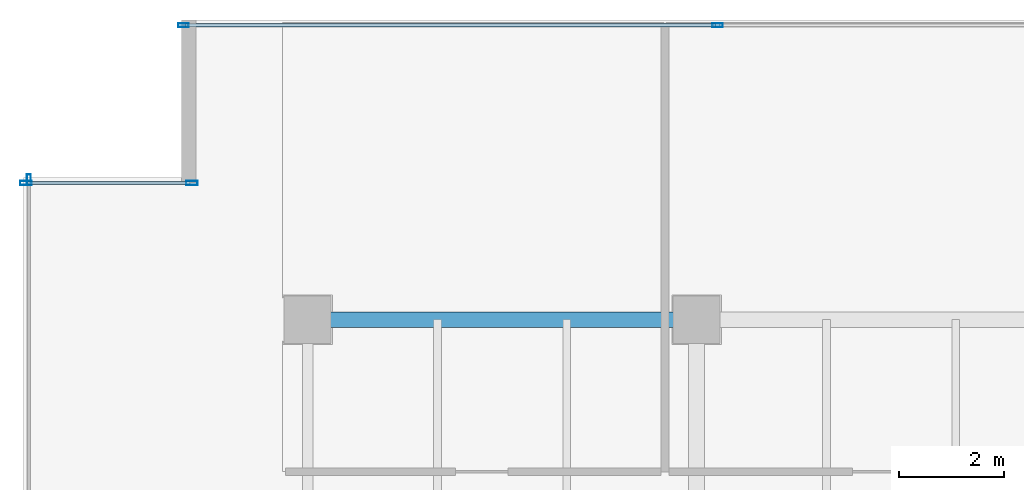
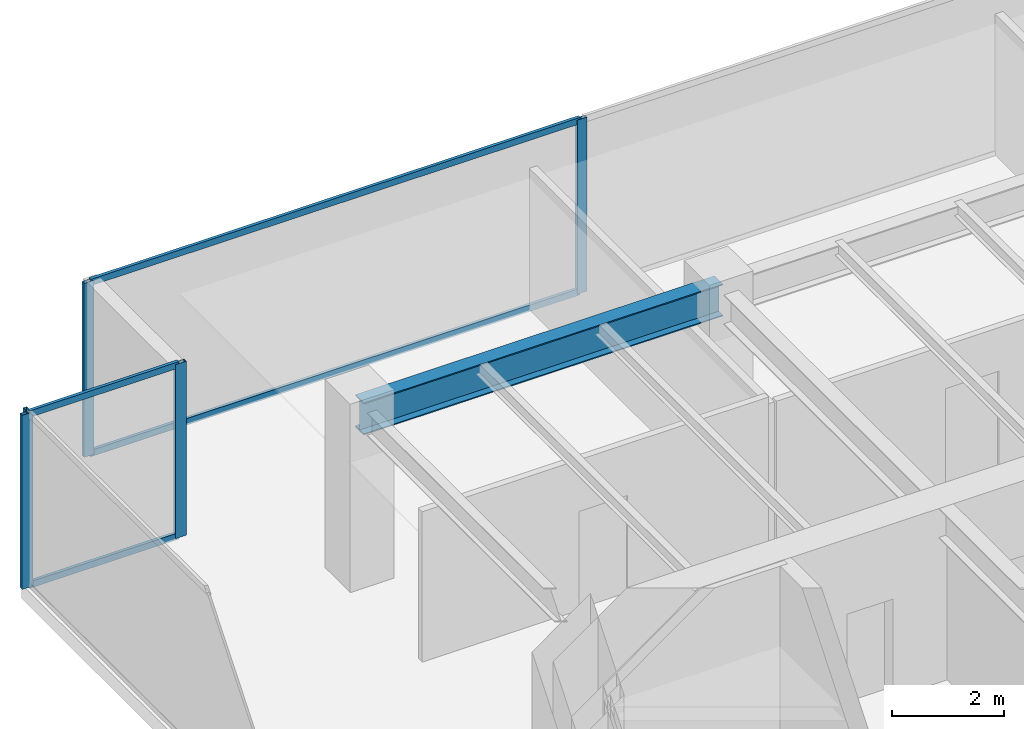
# One storey, part 14 of 33: 9 members, 1 beam, 3 elements without a shape of their own.
"""IFC4 building model written with IfcOpenShell, lengths in metres."""

import ifcopenshell
import ifcopenshell.guid

model = None  # the IFC model being written
_history = None  # IfcOwnerHistory: only IFC2X3 demands one
_inside = {}  # id of a spatial element -> (the spatial element, [elements in it])
_under = {}  # id of a project, library or spatial element -> (it, [spatial elements below it])
_declared = {}  # id of a project -> (the project, [libraries it declares])
_typed = {}  # id of a type object -> (the type object, [elements of that type])
_made_of = {}  # id of a material, layer set ... -> (it, [elements and type objects made of it])


def new_model(schema):
    """Start an empty IFC model of exactly this schema.

    Asked for "IFC4X3", IfcOpenShell would pick the latest addendum, in which some entities
    have other attributes; the version numbers below select the first issue.
    IFC2X3 requires an IfcOwnerHistory on every rooted entity: one is made here for all.
    """
    global model, _history
    if schema == "IFC4X3":
        model = ifcopenshell.file(schema_version=(4, 3, 0, 0))
    else:
        model = ifcopenshell.file(schema=schema)
    _inside.clear()
    _under.clear()
    _declared.clear()
    _typed.clear()
    _made_of.clear()
    _history = None
    if model.schema == "IFC2X3":
        org = make("IfcOrganization", Name="unknown")
        user = make(
            "IfcPersonAndOrganization",
            ThePerson=make("IfcPerson", FamilyName="unknown"),
            TheOrganization=org,
        )
        app = make(
            "IfcApplication",
            ApplicationDeveloper=org,
            Version="unknown",
            ApplicationFullName="unknown",
            ApplicationIdentifier="unknown",
        )
        _history = make(
            "IfcOwnerHistory",
            OwningUser=user,
            OwningApplication=app,
            ChangeAction="ADDED",
            CreationDate=0,
        )
    return model


def make(cls, **values):
    """One entity of the class cls with the attributes given. An attribute that is None is left unset."""
    return model.create_entity(
        cls, **{name: value for name, value in values.items() if value is not None}
    )


def rooted(cls, **values):
    """An entity with a GlobalId (a new one), such as an element, a storey or a relation."""
    return make(cls, GlobalId=ifcopenshell.guid.new(), OwnerHistory=_history, **values)


def si_unit(unit_type, name, prefix=None):
    """IfcSIUnit, for example si_unit("LENGTHUNIT", "METRE", prefix="MILLI")."""
    return make("IfcSIUnit", UnitType=unit_type, Prefix=prefix, Name=name)


def assignment(units):
    """IfcUnitAssignment: the units of a project."""
    return None if units is None else make("IfcUnitAssignment", Units=units)


def point(xyz):
    """IfcCartesianPoint."""
    return None if xyz is None else make("IfcCartesianPoint", Coordinates=xyz)


def direction(xyz):
    """IfcDirection."""
    return None if xyz is None else make("IfcDirection", DirectionRatios=xyz)


def frame(location, z_axis=None, x_axis=None):
    """IfcAxis2Placement3D, a coordinate frame: its origin and axes. An axis left out is left unset."""
    return make(
        "IfcAxis2Placement3D",
        Location=point(location),
        Axis=direction(z_axis),
        RefDirection=direction(x_axis),
    )


def frame_2d(location, x_axis=None):
    """IfcAxis2Placement2D, a coordinate frame in the plane: its origin and x axis."""
    return make(
        "IfcAxis2Placement2D", Location=point(location), RefDirection=direction(x_axis)
    )


def origin():
    """The frame at (0, 0, 0) with its axes left unset."""
    return frame((0.0, 0.0, 0.0))


def origin_2d():
    """The frame at (0, 0) in the plane with its x axis left unset."""
    return frame_2d((0.0, 0.0))


def place(relative_to, where):
    """IfcLocalPlacement: puts the frame where relative to a parent placement (None: the world)."""
    return make(
        "IfcLocalPlacement", PlacementRelTo=relative_to, RelativePlacement=where
    )


def context(
    kind, dimensions, precision=None, world=None, true_north=None, identifier=None
):
    """IfcGeometricRepresentationContext, for example the 3D "Model" context."""
    return make(
        "IfcGeometricRepresentationContext",
        ContextIdentifier=identifier,
        ContextType=kind,
        CoordinateSpaceDimension=dimensions,
        Precision=precision,
        WorldCoordinateSystem=world,
        TrueNorth=true_north,
    )


def subcontext(parent, identifier, kind, view, scale=None):
    """IfcGeometricRepresentationSubContext, for example "Body" below "Model"."""
    return make(
        "IfcGeometricRepresentationSubContext",
        ContextIdentifier=identifier,
        ContextType=kind,
        ParentContext=parent,
        TargetScale=scale,
        TargetView=view,
    )


def project(units=None, contexts=None):
    """IfcProject with its units and contexts."""
    return rooted(
        "IfcProject",
        Name="project",
        RepresentationContexts=contexts,
        UnitsInContext=assignment(units),
    )


def spatial(cls, under=None, at=None, **own):
    """A site, building, storey or space (cls), placed at a placement, below another one or the project."""
    s = rooted(cls, ObjectPlacement=at, **own)
    if under is not None:
        _under.setdefault(under.id(), (under, []))[1].append(s)
    return s


def profile(cls, at=None, kind="AREA", **sizes):
    """A parametric profile (cls). Its sizes go by their IFC names, for example OverallWidth=200.0."""
    return make(cls, ProfileType=kind, Position=at, **sizes)


def hollow_rectangle(**sizes):
    """IfcRectangleHollowProfileDef."""
    return profile("IfcRectangleHollowProfileDef", **sizes)


def i_section(**sizes):
    """IfcIShapeProfileDef."""
    return profile("IfcIShapeProfileDef", **sizes)


def extrude(swept, where, along, depth):
    """IfcExtrudedAreaSolid: the profile swept, set in the frame where, extruded along a direction by depth."""
    return make(
        "IfcExtrudedAreaSolid",
        SweptArea=swept,
        Position=where,
        ExtrudedDirection=direction(along),
        Depth=depth,
    )


def shape(context_of_items, identifier, shape_type, items):
    """IfcShapeRepresentation: the items that make up one representation, for example the "Body"."""
    return make(
        "IfcShapeRepresentation",
        ContextOfItems=context_of_items,
        RepresentationIdentifier=identifier,
        RepresentationType=shape_type,
        Items=items,
    )


def source(mapping_origin, context_of_items, identifier, shape_type, items):
    """IfcRepresentationMap: a shape defined once, which mapped items show again and again."""
    return make(
        "IfcRepresentationMap",
        MappingOrigin=mapping_origin,
        MappedRepresentation=shape(context_of_items, identifier, shape_type, items),
    )


def transform(
    local_origin,
    x_axis=None,
    y_axis=None,
    z_axis=None,
    scale=None,
    scale2=None,
    scale3=None,
    uniform=True,
):
    """IfcCartesianTransformationOperator3D, or its non-uniform kind. x_axis, y_axis, z_axis: its Axis1, 2, 3."""
    if uniform:
        return make(
            "IfcCartesianTransformationOperator3D",
            Axis1=direction(x_axis),
            Axis2=direction(y_axis),
            LocalOrigin=point(local_origin),
            Scale=scale,
            Axis3=direction(z_axis),
        )
    return make(
        "IfcCartesianTransformationOperator3DnonUniform",
        Axis1=direction(x_axis),
        Axis2=direction(y_axis),
        LocalOrigin=point(local_origin),
        Scale=scale,
        Axis3=direction(z_axis),
        Scale2=scale2,
        Scale3=scale3,
    )


def mapped(mapping_source, mapping_target):
    """IfcMappedItem: shows the shape of a source again, moved by a transform."""
    return make(
        "IfcMappedItem", MappingSource=mapping_source, MappingTarget=mapping_target
    )


def material(Name=None, Category=None):
    """IfcMaterial."""
    return make("IfcMaterial", Name=Name, Category=Category)


def layer(
    of_material, thickness, ventilated=None, Name=None, Category=None, Priority=None
):
    """IfcMaterialLayer: one layer of a wall or slab, of a material (None: an air gap)."""
    return make(
        "IfcMaterialLayer",
        Material=of_material,
        LayerThickness=thickness,
        IsVentilated=ventilated,
        Name=Name,
        Category=Category,
        Priority=Priority,
    )


def layer_set(layers, Name=None):
    """IfcMaterialLayerSet."""
    return make("IfcMaterialLayerSet", MaterialLayers=layers, LayerSetName=Name)


def material_profile(
    of_material, cross_section, Name=None, Category=None, Priority=None
):
    """IfcMaterialProfile: a cross section and its material."""
    return make(
        "IfcMaterialProfile",
        Name=Name,
        Material=of_material,
        Profile=cross_section,
        Priority=Priority,
        Category=Category,
    )


def profile_set(profiles, Name=None, composite=None):
    """IfcMaterialProfileSet."""
    return make(
        "IfcMaterialProfileSet",
        Name=Name,
        MaterialProfiles=profiles,
        CompositeProfile=composite,
    )


def made_of(thing, what):
    """Note that an element or type object is made of a material, layer set ...; save() writes the relation."""
    if what is not None:
        _made_of.setdefault(what.id(), (what, []))[1].append(thing)
    return thing


def type_object(cls, material=None, **own):
    """A type object (cls), such as IfcWallType, which elements share."""
    return made_of(rooted(cls, **own), material)


def type_shapes(of_type, sources):
    """Give a type object the sources (RepresentationMaps) that its elements show as mapped items."""
    of_type.RepresentationMaps = sources


def element(
    cls,
    number,
    at=None,
    inside=None,
    cuts=None,
    type_object=None,
    material=None,
    context=None,
    identifier="Body",
    shape_type=None,
    held_by="IfcProductDefinitionShape",
    body=None,
    shapes=None,
    **own,
):
    """One element of the class cls, such as IfcWall. Its Tag is "e" and its number.

    at: its placement. inside: the storey or other place that contains it. cuts: it is an
    opening in that element (IfcRelVoidsElement). A single representation is given by context,
    identifier, shape_type and body (its items); several are given by shapes. held_by: the class
    of the entity that holds the representations. save() writes the other relations.
    """
    e = rooted(cls, Tag="e%d" % number, ObjectPlacement=at, **own)
    if body is not None:
        shapes = [shape(context, identifier, shape_type, body)]
    if shapes is not None:
        e.Representation = make(held_by, Representations=shapes)
    if inside is not None:
        _inside.setdefault(inside.id(), (inside, []))[1].append(e)
    if cuts is not None:
        rooted(
            "IfcRelVoidsElement", RelatingBuildingElement=cuts, RelatedOpeningElement=e
        )
    if type_object is not None:
        _typed.setdefault(type_object.id(), (type_object, []))[1].append(e)
    return made_of(e, material)


def aggregate(whole, parts):
    """IfcRelAggregates: a whole, such as a stair, and the parts it consists of."""
    return rooted("IfcRelAggregates", RelatingObject=whole, RelatedObjects=parts)


def save(model, path):
    """Write the relations noted so far, then the file.

    IfcRelAggregates (storeys below a building ...), IfcRelContainedInSpatialStructure (elements
    in a storey), IfcRelDefinesByType, IfcRelAssociatesMaterial and IfcRelDeclares: one each for
    every whole, place, type object, material and project.
    """
    for whole, parts in _under.values():
        aggregate(whole, parts)
    for where, things in _inside.values():
        rooted(
            "IfcRelContainedInSpatialStructure",
            RelatedElements=things,
            RelatingStructure=where,
        )
    for kind, things in _typed.values():
        rooted("IfcRelDefinesByType", RelatedObjects=things, RelatingType=kind)
    for what, things in _made_of.values():
        rooted("IfcRelAssociatesMaterial", RelatedObjects=things, RelatingMaterial=what)
    for by, libraries in _declared.values():
        rooted("IfcRelDeclares", RelatingContext=by, RelatedDefinitions=libraries)
    model.write(path)


model = new_model("IFC4")

# Units and contexts
model_context = context("Model", 3, precision=1e-05, world=origin(), true_north=direction((0.0, 1.0)))
body_context = subcontext(model_context, "Body", "Model", "MODEL_VIEW")
ifc_project = project(units=[si_unit("LENGTHUNIT", "METRE"), si_unit("AREAUNIT", "SQUARE_METRE"), si_unit("VOLUMEUNIT", "CUBIC_METRE"), si_unit("PLANEANGLEUNIT", "RADIAN"), si_unit("MASSUNIT", "GRAM", prefix="KILO")], contexts=[model_context])

# Site, building, storey
site_placement = place(None, origin())
site = spatial("IfcSite", under=ifc_project, at=site_placement, CompositionType="ELEMENT")
building_placement = place(site_placement, origin())
building = spatial("IfcBuilding", under=site, at=building_placement, Name="Haelvirn Gate Laboratories", CompositionType="ELEMENT")
storey_placement = place(building_placement, frame((0.0, 0.0, 133.800048828125)))
storey = spatial("IfcBuildingStorey", under=building, at=storey_placement, Name="L32", CompositionType="ELEMENT", Elevation=133.800048828125)

# Beam
ifc_material_1 = material(Name="Steel SM355", Category="steel")
ifc_material_profile_1 = material_profile(ifc_material_1, i_section(OverallWidth=0.300048828125, OverallDepth=0.699951171875, WebThickness=0.012939453125, FlangeThickness=0.02392578125, at=origin_2d()), Name="H-700x300x13x24")
ifc_profile_set_1 = profile_set([ifc_material_profile_1], Name="Steel SM355")
beam_type = type_object("IfcBeamType", Name="BM-G-700", PredefinedType="BEAM", material=ifc_profile_set_1)
shared_shape_1 = source(origin(), body_context, "Body", "SweptSolid", [
    extrude(i_section(OverallWidth=0.300048828125, OverallDepth=0.699951171875, WebThickness=0.012939453125, FlangeThickness=0.02392578125, at=origin_2d()), origin(), (0.0, 0.0, 1.0), 7.400146484375),
])
type_shapes(beam_type, [shared_shape_1])
beam_placement = place(storey_placement, frame((7.39990234375, 41.60009765625, 3.43994140625), z_axis=(1.0, 0.0, 0.0), x_axis=(0.0, 1.0, 0.0)))
element("IfcBeam", 1, at=beam_placement, inside=storey, type_object=beam_type, Name="L32 Primary Girder Y41.6 (7.4-14.8)", PredefinedType="BEAM", context=body_context, shape_type="MappedRepresentation", body=[
    mapped(shared_shape_1, transform((0.0, 0.0, 0.0), scale=1.0)),
])

# Curtain wall, members
ifc_material_2 = material(Name="Anodised bronze unitised aluminium & triple low-E glass", Category="aluminium")
ifc_layer_1 = layer(ifc_material_2, 0.179931640625, Name="CW-SYS-3")
ifc_layer_set_1 = layer_set([ifc_layer_1], Name="Anodised bronze unitised aluminium & triple low-E glass")
curtain_wall_type_1 = type_object("IfcCurtainWallType", Name="CW-SYS-3", PredefinedType="NOTDEFINED", material=ifc_layer_set_1)
curtain_wall_1_placement = place(storey_placement, origin())
curtain_wall_1 = element("IfcCurtainWall", 2, at=curtain_wall_1_placement, inside=storey, type_object=curtain_wall_type_1, Name="L32 Unitised Curtain Wall CW-L32-P0-E14-1", PredefinedType="NOTDEFINED")
ifc_material_3 = material(Name="Extruded aluminium 6063-T6 (anodised bronze)", Category="aluminium")
ifc_material_profile_2 = material_profile(ifc_material_3, hollow_rectangle(XDim=0.06494140625, YDim=0.139892578125, WallThickness=0.00390625, at=origin_2d()), Name="CWT-140x65x4")
ifc_profile_set_2 = profile_set([ifc_material_profile_2], Name="Extruded aluminium 6063-T6 (anodised bronze)")
member_type_1 = type_object("IfcMemberType", Name="CWT-T140", PredefinedType="USERDEFINED", material=ifc_profile_set_2)
shared_shape_2 = source(origin(), body_context, "Body", "SweptSolid", [
    extrude(hollow_rectangle(XDim=0.06494140625, YDim=0.139892578125, WallThickness=0.00390625, at=origin_2d()), origin(), (0.0, 0.0, 1.0), 10.087646484375),
])
member_1_placement = place(storey_placement, frame((5.074951171875, 47.199951171875, 0.032470703125), z_axis=(1.0, 0.0, 0.0), x_axis=(0.0, 1.0, 0.0)))
member_1 = element("IfcMember", 3, at=member_1_placement, type_object=member_type_1, Name="CW3 transom 1.1", ObjectType="TRANSOM", PredefinedType="USERDEFINED", context=body_context, shape_type="MappedRepresentation", body=[
    mapped(shared_shape_2, transform((0.0, 0.0, 0.0), scale=1.0)),
])
member_2_placement = place(storey_placement, frame((5.074951171875, 47.199951171875, 3.757568359375), z_axis=(1.0, 0.0, 0.0), x_axis=(0.0, 1.0, 0.0)))
member_2 = element("IfcMember", 4, at=member_2_placement, type_object=member_type_1, Name="CW3 transom 1.2", ObjectType="TRANSOM", PredefinedType="USERDEFINED", context=body_context, shape_type="MappedRepresentation", body=[
    mapped(shared_shape_2, transform((0.0, 0.0, 0.0), scale=1.0)),
])

ifc_layer_2 = layer(ifc_material_2, 0.181884765625, Name="CW-SYS-5")
ifc_layer_set_2 = layer_set([ifc_layer_2], Name="Anodised bronze unitised aluminium & triple low-E glass")
curtain_wall_type_2 = type_object("IfcCurtainWallType", Name="CW-SYS-5", PredefinedType="NOTDEFINED", material=ifc_layer_set_2)
curtain_wall_2_placement = place(storey_placement, origin())
curtain_wall_2 = element("IfcCurtainWall", 5, at=curtain_wall_2_placement, inside=storey, type_object=curtain_wall_type_2, Name="L32 Unitised Curtain Wall CW-L32-P0-E16-1", PredefinedType="NOTDEFINED")
shared_shape_3 = source(origin(), body_context, "Body", "SweptSolid", [
    extrude(hollow_rectangle(XDim=0.06494140625, YDim=0.139892578125, WallThickness=0.00390625, at=origin_2d()), origin(), (0.0, 0.0, 1.0), 3.079833984375),
])
type_shapes(member_type_1, [shared_shape_2, shared_shape_3])
member_3_placement = place(storey_placement, frame((2.080078125, 44.199951171875, 0.032470703125), z_axis=(1.0, 0.0, 0.0), x_axis=(0.0, 1.0, 0.0)))
member_3 = element("IfcMember", 6, at=member_3_placement, type_object=member_type_1, Name="CW5 transom 1.1", ObjectType="TRANSOM", PredefinedType="USERDEFINED", context=body_context, shape_type="MappedRepresentation", body=[
    mapped(shared_shape_3, transform((0.0, 0.0, 0.0), scale=1.0)),
])
member_4_placement = place(storey_placement, frame((2.080078125, 44.199951171875, 3.757568359375), z_axis=(1.0, 0.0, 0.0), x_axis=(0.0, 1.0, 0.0)))
member_4 = element("IfcMember", 7, at=member_4_placement, type_object=member_type_1, Name="CW5 transom 1.2", ObjectType="TRANSOM", PredefinedType="USERDEFINED", context=body_context, shape_type="MappedRepresentation", body=[
    mapped(shared_shape_3, transform((0.0, 0.0, 0.0), scale=1.0)),
])

# Member
ifc_material_profile_3 = material_profile(ifc_material_3, hollow_rectangle(XDim=0.074951171875, YDim=0.199951171875, WallThickness=0.0048828125, at=origin_2d()), Name="CWM-200x75x5")
ifc_profile_set_3 = profile_set([ifc_material_profile_3], Name="Extruded aluminium 6063-T6 (anodised bronze)")
member_type_2 = type_object("IfcMemberType", Name="CWM-T200", PredefinedType="MULLION", material=ifc_profile_set_3)
shared_shape_4 = source(origin(), body_context, "Body", "SweptSolid", [
    extrude(hollow_rectangle(XDim=0.074951171875, YDim=0.199951171875, WallThickness=0.0048828125, at=origin_2d()), origin(), (0.0, 0.0, 1.0), 3.7900390625),
])
type_shapes(member_type_2, [shared_shape_4])
member_5_placement = place(storey_placement, frame((5.03759765625, 47.199951171875, 0.0), z_axis=(0.0, 0.0, 1.0), x_axis=(0.0, 1.0, 0.0)))
member_5 = element("IfcMember", 8, at=member_5_placement, type_object=member_type_2, Name="CW3 mullion 1", PredefinedType="MULLION", context=body_context, shape_type="MappedRepresentation", body=[
    mapped(shared_shape_4, transform((0.0, 0.0, 0.0), scale=1.0)),
])

member_6_placement = place(storey_placement, frame((15.199951171875, 47.199951171875, 0.0), z_axis=(0.0, 0.0, 1.0), x_axis=(0.0, 1.0, 0.0)))
member_6 = element("IfcMember", 9, at=member_6_placement, type_object=member_type_2, Name="CW3 mullion 2", PredefinedType="MULLION", context=body_context, shape_type="MappedRepresentation", body=[
    mapped(shared_shape_4, transform((0.0, 0.0, 0.0), scale=1.0)),
])

aggregate(curtain_wall_1, [member_5, member_6, member_1, member_2])

# Curtain wall, member
curtain_wall_3_placement = place(storey_placement, origin())
curtain_wall_3 = element("IfcCurtainWall", 10, at=curtain_wall_3_placement, inside=storey, type_object=curtain_wall_type_1, Name="L32 Unitised Curtain Wall CW-L32-P0-E17", PredefinedType="NOTDEFINED")
member_7_placement = place(storey_placement, frame((2.10009765625, 44.262451171875, 0.0), z_axis=(0.0, 0.0, 1.0), x_axis=(1.0, 0.0, 0.0)))
member_7 = element("IfcMember", 11, at=member_7_placement, type_object=member_type_2, Name="CW3 mullion 1", PredefinedType="MULLION", context=body_context, shape_type="MappedRepresentation", body=[
    mapped(shared_shape_4, transform((0.0, 0.0, 0.0), scale=1.0)),
])
aggregate(curtain_wall_3, [member_7])

# Member
ifc_material_profile_4 = material_profile(ifc_material_3, hollow_rectangle(XDim=0.080078125, YDim=0.219970703125, WallThickness=0.006103515625, at=origin_2d()), Name="CWM-220x80x6")
ifc_profile_set_4 = profile_set([ifc_material_profile_4], Name="Extruded aluminium 6063-T6 (anodised bronze)")
member_type_3 = type_object("IfcMemberType", Name="CWM-T220", PredefinedType="MULLION", material=ifc_profile_set_4)
shared_shape_5 = source(origin(), body_context, "Body", "SweptSolid", [
    extrude(hollow_rectangle(XDim=0.080078125, YDim=0.219970703125, WallThickness=0.006103515625, at=origin_2d()), origin(), (0.0, 0.0, 1.0), 3.7900390625),
])
type_shapes(member_type_3, [shared_shape_5])
member_8_placement = place(storey_placement, frame((2.0400390625, 44.199951171875, 0.0), z_axis=(0.0, 0.0, 1.0), x_axis=(0.0, 1.0, 0.0)))
member_8 = element("IfcMember", 12, at=member_8_placement, type_object=member_type_3, Name="CW5 mullion 1", PredefinedType="MULLION", context=body_context, shape_type="MappedRepresentation", body=[
    mapped(shared_shape_5, transform((0.0, 0.0, 0.0), scale=1.0)),
])

member_9_placement = place(storey_placement, frame((5.199951171875, 44.199951171875, 0.0), z_axis=(0.0, 0.0, 1.0), x_axis=(0.0, 1.0, 0.0)))
member_9 = element("IfcMember", 13, at=member_9_placement, type_object=member_type_3, Name="CW5 mullion 2", PredefinedType="MULLION", context=body_context, shape_type="MappedRepresentation", body=[
    mapped(shared_shape_5, transform((0.0, 0.0, 0.0), scale=1.0)),
])

aggregate(curtain_wall_2, [member_8, member_9, member_3, member_4])

save(model, "model.ifc")
